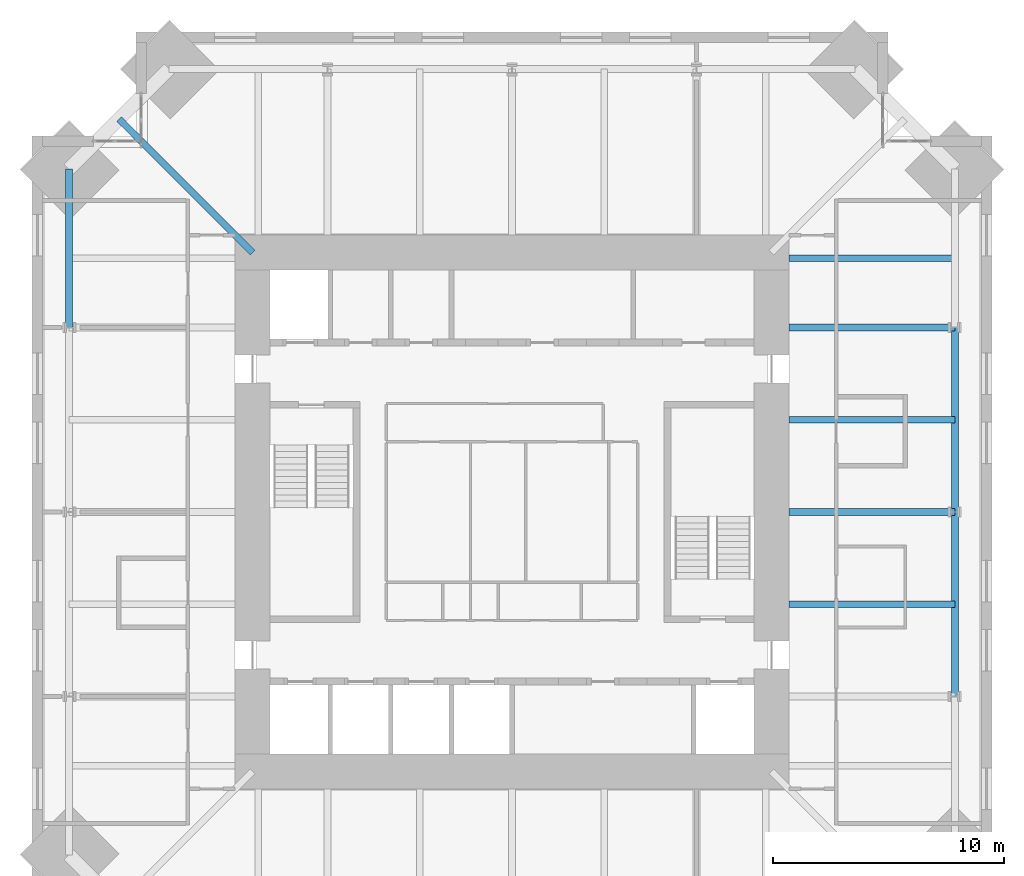
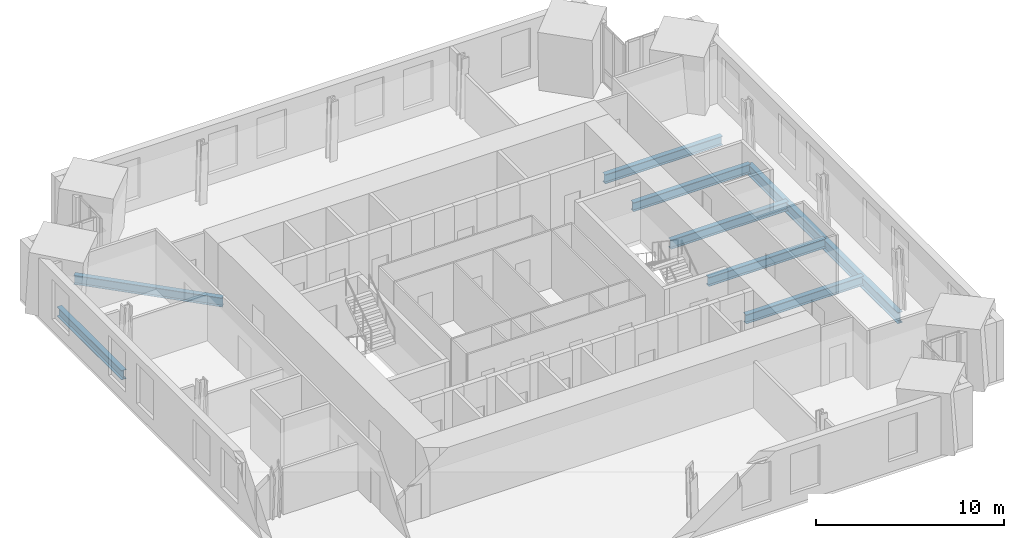
# One storey, part 5 of 15: 9 beams.
"""IFC4 building model written with IfcOpenShell, lengths in metres."""

from ifc_helpers import new_model, si_unit, direction, frame, origin, origin_2d, place, context, subcontext, project, spatial, i_section, extrude, material, material_profile, profile_set, type_object, element, save


model = new_model("IFC4")

# Units and contexts
model_context = context("Model", 3, precision=1e-05, world=origin(), true_north=direction((0.0, 1.0)))
body_context = subcontext(model_context, "Body", "Model", "MODEL_VIEW")
ifc_project = project(units=[si_unit("LENGTHUNIT", "METRE"), si_unit("AREAUNIT", "SQUARE_METRE"), si_unit("VOLUMEUNIT", "CUBIC_METRE"), si_unit("PLANEANGLEUNIT", "RADIAN"), si_unit("MASSUNIT", "GRAM", prefix="KILO")], contexts=[model_context])

# Site, building, storey
site_placement = place(None, origin())
site = spatial("IfcSite", under=ifc_project, at=site_placement, CompositionType="ELEMENT")
building_placement = place(site_placement, origin())
building = spatial("IfcBuilding", under=site, at=building_placement, Name="Peilmerk Tower", CompositionType="ELEMENT")
storey_placement = place(building_placement, frame((0.0, 0.0, 289.800048828125)))
storey = spatial("IfcBuildingStorey", under=building, at=storey_placement, Name="L65", CompositionType="ELEMENT", Elevation=289.800048828125)

# Beams
ifc_material = material(Name="Steel S355", Category="steel")
ifc_material_profile_1 = material_profile(ifc_material, i_section(OverallWidth=0.300048828125, OverallDepth=0.590087890625, WebThickness=0.012939453125, FlangeThickness=0.02490234375, at=origin_2d()), Name="HEA 600")
ifc_profile_set_1 = profile_set([ifc_material_profile_1], Name="Steel S355")
beam_type_1 = type_object("IfcBeamType", Name="B27 HEA 600 floor beam", PredefinedType="BEAM", material=ifc_profile_set_1)
for number, where, z_axis, x_axis, name in (
    (1, (12.0, -4.0, -0.465087890625), (1.0, 0.0, 0.0), (0.0, 1.0, 0.0), "Floor beam L65"),
    (2, (12.0, 0.0, -0.465087890625), (1.0, 0.0, 0.0), (0.0, 1.0, 0.0), "Floor beam L65"),
    (3, (12.0, 4.0, -0.465087890625), (1.0, 0.0, 0.0), (0.0, 1.0, 0.0), "Floor beam L65"),
    (4, (12.0, 8.0, -0.465087890625), (1.0, 0.0, 0.0), (0.0, 1.0, 0.0), "Floor beam L65"),
    (5, (12.0, 11.0, -0.465087890625), (1.0, 0.0, 0.0), (0.0, 1.0, 0.0), "Floor beam L65"),
):
    element("IfcBeam", number, at=place(storey_placement, frame(where, z_axis=z_axis, x_axis=x_axis)), inside=storey, type_object=beam_type_1, Name=name, PredefinedType="BEAM", context=body_context, shape_type="SweptSolid", body=[
        extrude(i_section(OverallWidth=0.300048828125, OverallDepth=0.590087890625, WebThickness=0.012939453125, FlangeThickness=0.02490234375, at=origin_2d()), origin(), (0.0, 0.0, 1.0), 7.211181640625),
    ])
beam_1_placement = place(storey_placement, frame((-11.25, 11.25, -0.465087890625), z_axis=(-0.707106781187, 0.707106781187, 0.0), x_axis=(-0.707106781187, -0.707106781187, 0.0)))
element("IfcBeam", 6, at=beam_1_placement, inside=storey, type_object=beam_type_1, Name="Corner girder L65", PredefinedType="BEAM", context=body_context, shape_type="SweptSolid", body=[
    extrude(i_section(OverallWidth=0.300048828125, OverallDepth=0.590087890625, WebThickness=0.012939453125, FlangeThickness=0.02490234375, at=origin_2d()), origin(), (0.0, 0.0, 1.0), 8.18310546875),
])
ifc_material_profile_2 = material_profile(ifc_material, i_section(OverallWidth=0.303955078125, OverallDepth=0.716064453125, WebThickness=0.02099609375, FlangeThickness=0.0400390625, at=origin_2d()), Name="HEM 700")
ifc_profile_set_2 = profile_set([ifc_material_profile_2], Name="Steel S355")
beam_type_2 = type_object("IfcBeamType", Name="B30 HEM 700 edge beam", PredefinedType="SPANDREL", material=ifc_profile_set_2)
for number, where, z_axis, x_axis, name in (
    (7, (19.211181640625, -8.0, -0.528076171875), (0.0, 1.0, 0.0), (-1.0, 0.0, 0.0), "Edge beam L65"),
    (8, (19.211181640625, 0.0, -0.528076171875), (0.0, 1.0, 0.0), (-1.0, 0.0, 0.0), "Edge beam L65"),
):
    element("IfcBeam", number, at=place(storey_placement, frame(where, z_axis=z_axis, x_axis=x_axis)), inside=storey, type_object=beam_type_2, Name=name, PredefinedType="SPANDREL", context=body_context, shape_type="SweptSolid", body=[
        extrude(i_section(OverallWidth=0.303955078125, OverallDepth=0.716064453125, WebThickness=0.02099609375, FlangeThickness=0.0400390625, at=origin_2d()), origin(), (0.0, 0.0, 1.0), 8.0),
    ])
ifc_material_profile_3 = material_profile(ifc_material, i_section(OverallWidth=0.304931640625, OverallDepth=0.6201171875, WebThickness=0.02099609375, FlangeThickness=0.0400390625, at=origin_2d()), Name="HEM 600")
ifc_profile_set_3 = profile_set([ifc_material_profile_3], Name="Steel S355")
beam_type_3 = type_object("IfcBeamType", Name="B31 HEM 600 edge beam", PredefinedType="SPANDREL", material=ifc_profile_set_3)
beam_2_placement = place(storey_placement, frame((-19.211181640625, 14.861328125, -0.47998046875), z_axis=(0.0, -1.0, 0.0), x_axis=(1.0, 0.0, 0.0)))
element("IfcBeam", 9, at=beam_2_placement, inside=storey, type_object=beam_type_3, Name="Edge beam L65", PredefinedType="SPANDREL", context=body_context, shape_type="SweptSolid", body=[
    extrude(i_section(OverallWidth=0.304931640625, OverallDepth=0.6201171875, WebThickness=0.02099609375, FlangeThickness=0.0400390625, at=origin_2d()), origin(), (0.0, 0.0, 1.0), 6.861328125),
])

save(model, "model.ifc")
